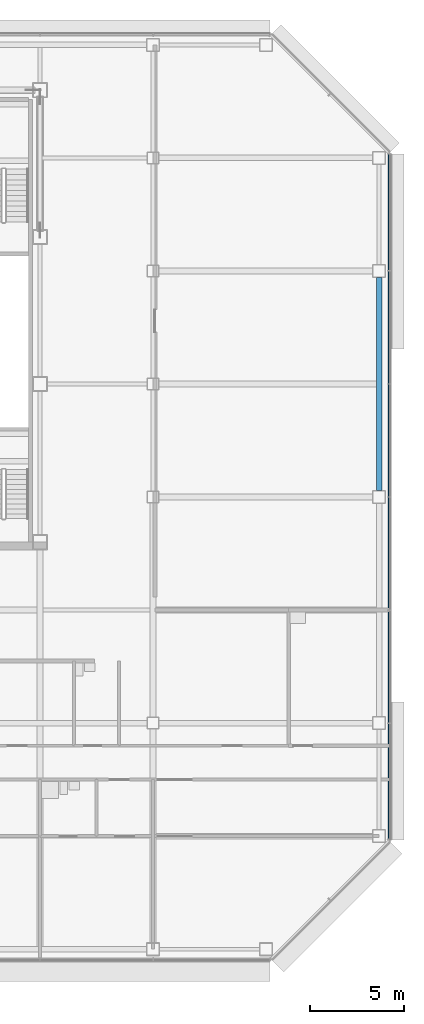
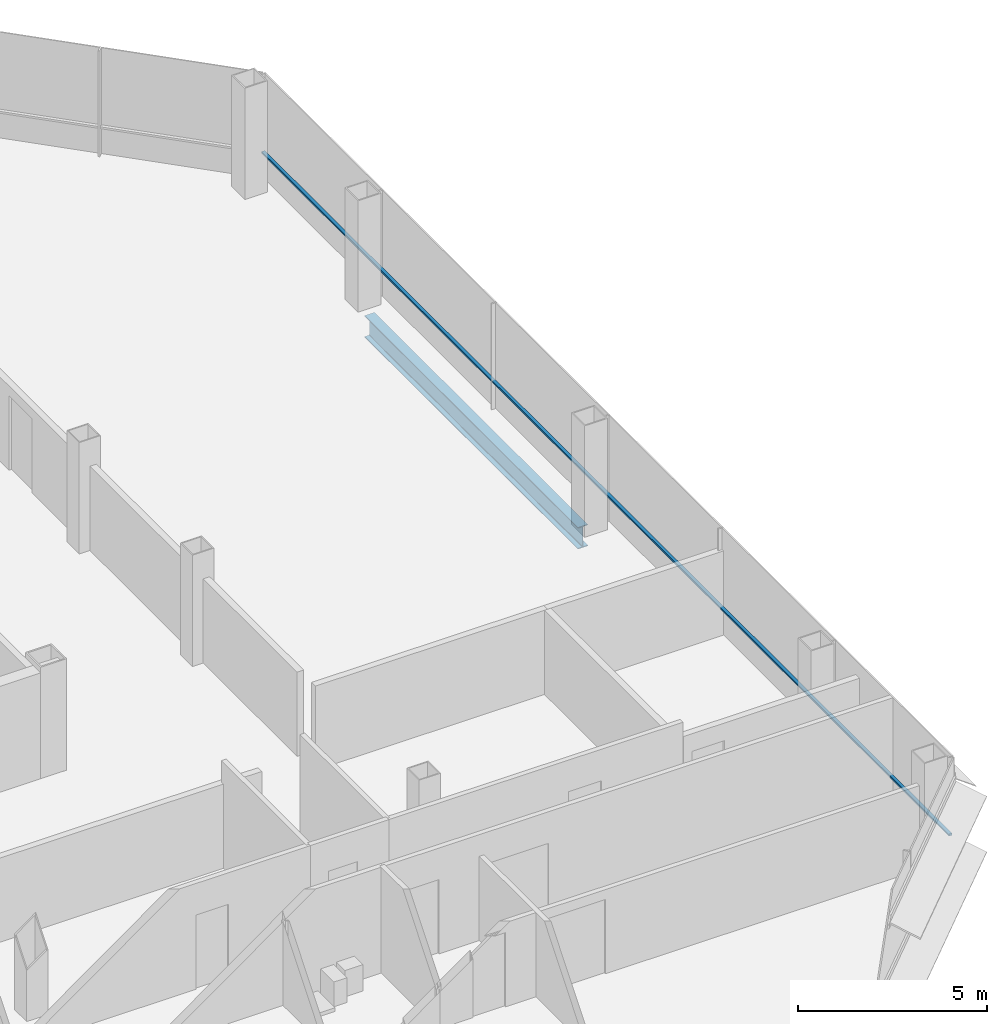
# One storey, part 16 of 24: 1 beam, 1 member, 1 element without a shape of its own.
"""IFC4 building model written with IfcOpenShell, lengths in metres."""

from ifc_helpers import new_model, si_unit, direction, frame, origin, origin_2d, place, context, subcontext, project, spatial, rectangle, i_section, extrude, material, material_profile, profile_set, type_object, element, aggregate, save


model = new_model("IFC4")

# Units and contexts
model_context = context("Model", 3, precision=1e-05, world=origin(), true_north=direction((0.0, 1.0)))
body_context = subcontext(model_context, "Body", "Model", "MODEL_VIEW")
ifc_project = project(units=[si_unit("LENGTHUNIT", "METRE"), si_unit("AREAUNIT", "SQUARE_METRE"), si_unit("VOLUMEUNIT", "CUBIC_METRE"), si_unit("PLANEANGLEUNIT", "RADIAN"), si_unit("MASSUNIT", "GRAM", prefix="KILO")], contexts=[model_context])

# Site, building, storey
site_placement = place(None, origin())
site = spatial("IfcSite", under=ifc_project, at=site_placement, CompositionType="ELEMENT")
building_placement = place(site_placement, origin())
building = spatial("IfcBuilding", under=site, at=building_placement, Name="Sorahane Residences", CompositionType="ELEMENT")
storey_placement = place(building_placement, frame((0.0, 0.0, 170.800048828125)))
storey = spatial("IfcBuildingStorey", under=building, at=storey_placement, Name="L39", CompositionType="ELEMENT", Elevation=170.800048828125)

# Curtain wall, member
ifc_material_1 = material(Name="Dark low-e glass and black anodised aluminium", Category="aluminium")
curtain_wall_type = type_object("IfcCurtainWallType", Name="Curtain wall CW-1 Typical unitised wall", PredefinedType="NOTDEFINED", material=ifc_material_1)
curtain_wall_placement = place(storey_placement, origin())
curtain_wall = element("IfcCurtainWall", 1, at=curtain_wall_placement, inside=storey, type_object=curtain_wall_type, Name="CW-1 curtain wall L39 E1", PredefinedType="NOTDEFINED")
ifc_material_2 = material(Name="Black anodised aluminium", Category="aluminium")
ifc_material_profile_1 = material_profile(ifc_material_2, rectangle(XDim=0.10009765625, YDim=0.06005859375, at=origin_2d()), Name="Curtain wall transom CW-1 black anodised aluminium 60x100")
ifc_profile_set_1 = profile_set([ifc_material_profile_1], Name="Black anodised aluminium")
member_type = type_object("IfcMemberType", Name="Curtain wall transom CW-1 black anodised aluminium 60x100", PredefinedType="USERDEFINED", material=ifc_profile_set_1)
member_placement = place(storey_placement, frame((60.530029296875, 5.801513671875, 0.89990234375), z_axis=(0.0, 1.0, 0.0), x_axis=(-1.0, 0.0, 0.0)))
member = element("IfcMember", 2, at=member_placement, type_object=member_type, Name="CW-1 transom L39 E1", ObjectType="TRANSOM", PredefinedType="USERDEFINED", context=body_context, shape_type="SweptSolid", body=[
    extrude(rectangle(XDim=0.10009765625, YDim=0.06005859375, at=origin_2d()), origin(), (0.0, 0.0, 1.0), 36.39697265625),
])
aggregate(curtain_wall, [member])

# Beam
ifc_material_3 = material(Name="Steel Q355B", Category="steel")
ifc_material_profile_2 = material_profile(ifc_material_3, i_section(OverallWidth=0.300048828125, OverallDepth=0.699951171875, WebThickness=0.012939453125, FlangeThickness=0.02392578125, FilletRadius=0.028076171875, at=origin_2d()), Name="HN 700x300x13x24")
ifc_profile_set_2 = profile_set([ifc_material_profile_2], Name="Steel Q355B")
beam_type = type_object("IfcBeamType", Name="Steel floor beam HN 700x300x13x24 Q355B", PredefinedType="BEAM", material=ifc_profile_set_2)
beam_placement = place(storey_placement, frame((60.0, 24.35009765625, -0.530029296875), z_axis=(0.0, 1.0, 0.0), x_axis=(-1.0, 0.0, 0.0)))
element("IfcBeam", 3, at=beam_placement, inside=storey, type_object=beam_type, Name="Beam L39 066", PredefinedType="BEAM", context=body_context, shape_type="SweptSolid", body=[
    extrude(i_section(OverallWidth=0.300048828125, OverallDepth=0.699951171875, WebThickness=0.012939453125, FlangeThickness=0.02392578125, FilletRadius=0.028076171875, at=origin_2d()), origin(), (0.0, 0.0, 1.0), 11.2998046875),
])

save(model, "model.ifc")
